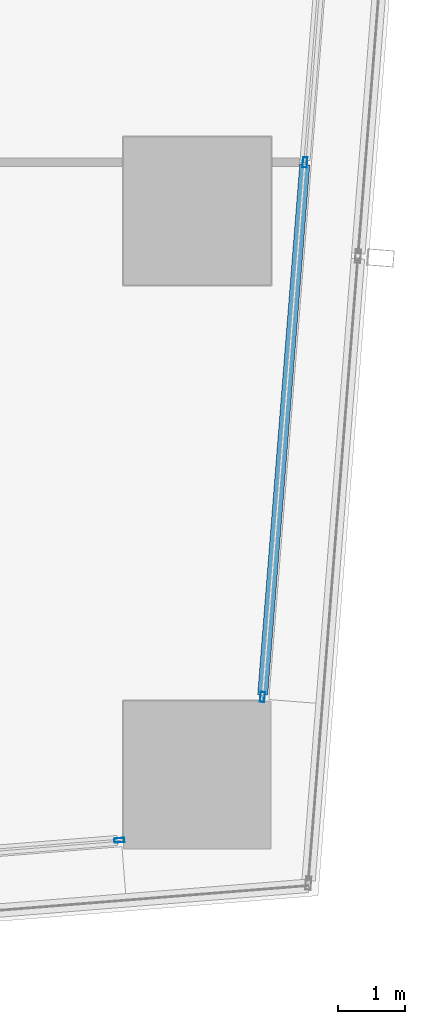
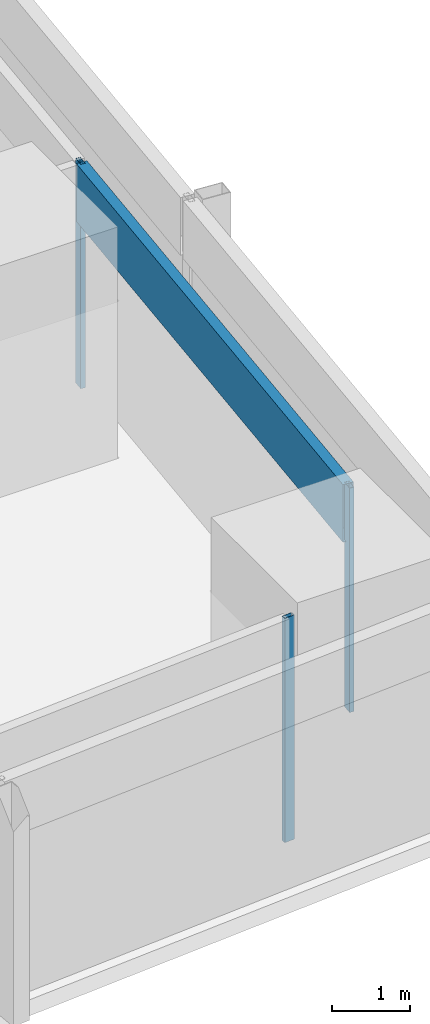
# One storey, part 12 of 44: 4 members, 2 elements without a shape of their own.
"""IFC4 building model written with IfcOpenShell, lengths in metres."""

import ifcopenshell
import ifcopenshell.guid

model = None  # the IFC model being written
_history = None  # IfcOwnerHistory: only IFC2X3 demands one
_inside = {}  # id of a spatial element -> (the spatial element, [elements in it])
_under = {}  # id of a project, library or spatial element -> (it, [spatial elements below it])
_declared = {}  # id of a project -> (the project, [libraries it declares])
_typed = {}  # id of a type object -> (the type object, [elements of that type])
_made_of = {}  # id of a material, layer set ... -> (it, [elements and type objects made of it])


def new_model(schema):
    """Start an empty IFC model of exactly this schema.

    Asked for "IFC4X3", IfcOpenShell would pick the latest addendum, in which some entities
    have other attributes; the version numbers below select the first issue.
    IFC2X3 requires an IfcOwnerHistory on every rooted entity: one is made here for all.
    """
    global model, _history
    if schema == "IFC4X3":
        model = ifcopenshell.file(schema_version=(4, 3, 0, 0))
    else:
        model = ifcopenshell.file(schema=schema)
    _inside.clear()
    _under.clear()
    _declared.clear()
    _typed.clear()
    _made_of.clear()
    _history = None
    if model.schema == "IFC2X3":
        org = make("IfcOrganization", Name="unknown")
        user = make(
            "IfcPersonAndOrganization",
            ThePerson=make("IfcPerson", FamilyName="unknown"),
            TheOrganization=org,
        )
        app = make(
            "IfcApplication",
            ApplicationDeveloper=org,
            Version="unknown",
            ApplicationFullName="unknown",
            ApplicationIdentifier="unknown",
        )
        _history = make(
            "IfcOwnerHistory",
            OwningUser=user,
            OwningApplication=app,
            ChangeAction="ADDED",
            CreationDate=0,
        )
    return model


def make(cls, **values):
    """One entity of the class cls with the attributes given. An attribute that is None is left unset."""
    return model.create_entity(
        cls, **{name: value for name, value in values.items() if value is not None}
    )


def rooted(cls, **values):
    """An entity with a GlobalId (a new one), such as an element, a storey or a relation."""
    return make(cls, GlobalId=ifcopenshell.guid.new(), OwnerHistory=_history, **values)


def si_unit(unit_type, name, prefix=None):
    """IfcSIUnit, for example si_unit("LENGTHUNIT", "METRE", prefix="MILLI")."""
    return make("IfcSIUnit", UnitType=unit_type, Prefix=prefix, Name=name)


def assignment(units):
    """IfcUnitAssignment: the units of a project."""
    return None if units is None else make("IfcUnitAssignment", Units=units)


def point(xyz):
    """IfcCartesianPoint."""
    return None if xyz is None else make("IfcCartesianPoint", Coordinates=xyz)


def direction(xyz):
    """IfcDirection."""
    return None if xyz is None else make("IfcDirection", DirectionRatios=xyz)


def frame(location, z_axis=None, x_axis=None):
    """IfcAxis2Placement3D, a coordinate frame: its origin and axes. An axis left out is left unset."""
    return make(
        "IfcAxis2Placement3D",
        Location=point(location),
        Axis=direction(z_axis),
        RefDirection=direction(x_axis),
    )


def frame_2d(location, x_axis=None):
    """IfcAxis2Placement2D, a coordinate frame in the plane: its origin and x axis."""
    return make(
        "IfcAxis2Placement2D", Location=point(location), RefDirection=direction(x_axis)
    )


def origin():
    """The frame at (0, 0, 0) with its axes left unset."""
    return frame((0.0, 0.0, 0.0))


def origin_2d():
    """The frame at (0, 0) in the plane with its x axis left unset."""
    return frame_2d((0.0, 0.0))


def place(relative_to, where):
    """IfcLocalPlacement: puts the frame where relative to a parent placement (None: the world)."""
    return make(
        "IfcLocalPlacement", PlacementRelTo=relative_to, RelativePlacement=where
    )


def context(
    kind, dimensions, precision=None, world=None, true_north=None, identifier=None
):
    """IfcGeometricRepresentationContext, for example the 3D "Model" context."""
    return make(
        "IfcGeometricRepresentationContext",
        ContextIdentifier=identifier,
        ContextType=kind,
        CoordinateSpaceDimension=dimensions,
        Precision=precision,
        WorldCoordinateSystem=world,
        TrueNorth=true_north,
    )


def subcontext(parent, identifier, kind, view, scale=None):
    """IfcGeometricRepresentationSubContext, for example "Body" below "Model"."""
    return make(
        "IfcGeometricRepresentationSubContext",
        ContextIdentifier=identifier,
        ContextType=kind,
        ParentContext=parent,
        TargetScale=scale,
        TargetView=view,
    )


def project(units=None, contexts=None):
    """IfcProject with its units and contexts."""
    return rooted(
        "IfcProject",
        Name="project",
        RepresentationContexts=contexts,
        UnitsInContext=assignment(units),
    )


def spatial(cls, under=None, at=None, **own):
    """A site, building, storey or space (cls), placed at a placement, below another one or the project."""
    s = rooted(cls, ObjectPlacement=at, **own)
    if under is not None:
        _under.setdefault(under.id(), (under, []))[1].append(s)
    return s


def profile(cls, at=None, kind="AREA", **sizes):
    """A parametric profile (cls). Its sizes go by their IFC names, for example OverallWidth=200.0."""
    return make(cls, ProfileType=kind, Position=at, **sizes)


def hollow_rectangle(**sizes):
    """IfcRectangleHollowProfileDef."""
    return profile("IfcRectangleHollowProfileDef", **sizes)


def extrude(swept, where, along, depth):
    """IfcExtrudedAreaSolid: the profile swept, set in the frame where, extruded along a direction by depth."""
    return make(
        "IfcExtrudedAreaSolid",
        SweptArea=swept,
        Position=where,
        ExtrudedDirection=direction(along),
        Depth=depth,
    )


def shape(context_of_items, identifier, shape_type, items):
    """IfcShapeRepresentation: the items that make up one representation, for example the "Body"."""
    return make(
        "IfcShapeRepresentation",
        ContextOfItems=context_of_items,
        RepresentationIdentifier=identifier,
        RepresentationType=shape_type,
        Items=items,
    )


def material(Name=None, Category=None):
    """IfcMaterial."""
    return make("IfcMaterial", Name=Name, Category=Category)


def material_profile(
    of_material, cross_section, Name=None, Category=None, Priority=None
):
    """IfcMaterialProfile: a cross section and its material."""
    return make(
        "IfcMaterialProfile",
        Name=Name,
        Material=of_material,
        Profile=cross_section,
        Priority=Priority,
        Category=Category,
    )


def profile_set(profiles, Name=None, composite=None):
    """IfcMaterialProfileSet."""
    return make(
        "IfcMaterialProfileSet",
        Name=Name,
        MaterialProfiles=profiles,
        CompositeProfile=composite,
    )


def made_of(thing, what):
    """Note that an element or type object is made of a material, layer set ...; save() writes the relation."""
    if what is not None:
        _made_of.setdefault(what.id(), (what, []))[1].append(thing)
    return thing


def type_object(cls, material=None, **own):
    """A type object (cls), such as IfcWallType, which elements share."""
    return made_of(rooted(cls, **own), material)


def element(
    cls,
    number,
    at=None,
    inside=None,
    cuts=None,
    type_object=None,
    material=None,
    context=None,
    identifier="Body",
    shape_type=None,
    held_by="IfcProductDefinitionShape",
    body=None,
    shapes=None,
    **own,
):
    """One element of the class cls, such as IfcWall. Its Tag is "e" and its number.

    at: its placement. inside: the storey or other place that contains it. cuts: it is an
    opening in that element (IfcRelVoidsElement). A single representation is given by context,
    identifier, shape_type and body (its items); several are given by shapes. held_by: the class
    of the entity that holds the representations. save() writes the other relations.
    """
    e = rooted(cls, Tag="e%d" % number, ObjectPlacement=at, **own)
    if body is not None:
        shapes = [shape(context, identifier, shape_type, body)]
    if shapes is not None:
        e.Representation = make(held_by, Representations=shapes)
    if inside is not None:
        _inside.setdefault(inside.id(), (inside, []))[1].append(e)
    if cuts is not None:
        rooted(
            "IfcRelVoidsElement", RelatingBuildingElement=cuts, RelatedOpeningElement=e
        )
    if type_object is not None:
        _typed.setdefault(type_object.id(), (type_object, []))[1].append(e)
    return made_of(e, material)


def aggregate(whole, parts):
    """IfcRelAggregates: a whole, such as a stair, and the parts it consists of."""
    return rooted("IfcRelAggregates", RelatingObject=whole, RelatedObjects=parts)


def save(model, path):
    """Write the relations noted so far, then the file.

    IfcRelAggregates (storeys below a building ...), IfcRelContainedInSpatialStructure (elements
    in a storey), IfcRelDefinesByType, IfcRelAssociatesMaterial and IfcRelDeclares: one each for
    every whole, place, type object, material and project.
    """
    for whole, parts in _under.values():
        aggregate(whole, parts)
    for where, things in _inside.values():
        rooted(
            "IfcRelContainedInSpatialStructure",
            RelatedElements=things,
            RelatingStructure=where,
        )
    for kind, things in _typed.values():
        rooted("IfcRelDefinesByType", RelatedObjects=things, RelatingType=kind)
    for what, things in _made_of.values():
        rooted("IfcRelAssociatesMaterial", RelatedObjects=things, RelatingMaterial=what)
    for by, libraries in _declared.values():
        rooted("IfcRelDeclares", RelatingContext=by, RelatedDefinitions=libraries)
    model.write(path)


model = new_model("IFC4")

# Units and contexts
model_context = context("Model", 3, precision=1e-05, world=origin(), true_north=direction((0.0, 1.0)))
body_context = subcontext(model_context, "Body", "Model", "MODEL_VIEW")
ifc_project = project(units=[si_unit("LENGTHUNIT", "METRE"), si_unit("AREAUNIT", "SQUARE_METRE"), si_unit("VOLUMEUNIT", "CUBIC_METRE"), si_unit("PLANEANGLEUNIT", "RADIAN"), si_unit("MASSUNIT", "GRAM", prefix="KILO")], contexts=[model_context])

# Site, building, storey
site_placement = place(None, origin())
site = spatial("IfcSite", under=ifc_project, at=site_placement, CompositionType="ELEMENT")
building_placement = place(site_placement, origin())
building = spatial("IfcBuilding", under=site, at=building_placement, Name="Rekha Terrace Tower", CompositionType="ELEMENT")
storey_placement = place(building_placement, frame((0.0, 0.0, 59.14990234375)))
storey = spatial("IfcBuildingStorey", under=building, at=storey_placement, Name="L14", CompositionType="ELEMENT", Elevation=59.14990234375)

# Curtain wall, member
ifc_material_1 = material(Name="Aluminium framing", Category="aluminium")
curtain_wall_type = type_object("IfcCurtainWallType", Name="CW1 double skin inner glazing", PredefinedType="USERDEFINED", material=ifc_material_1)
curtain_wall_1_placement = place(storey_placement, origin())
curtain_wall_1 = element("IfcCurtainWall", 1, at=curtain_wall_1_placement, inside=storey, type_object=curtain_wall_type, Name="CW1 double skin inner glazing", ObjectType="DOUBLE SKIN INNER GLAZING", PredefinedType="USERDEFINED")
ifc_material_2 = material(Name="Aluminium mullion section", Category="aluminium")
ifc_material_profile_1 = material_profile(ifc_material_2, hollow_rectangle(XDim=0.06494140625, YDim=0.14990234375, WallThickness=0.00390625, at=origin_2d()), Name="AL RHS 65x150")
ifc_profile_set_1 = profile_set([ifc_material_profile_1], Name="Aluminium mullion section")
member_type_1 = type_object("IfcMemberType", Name="CW1 mullion RHS 65 x 150", PredefinedType="MULLION", material=ifc_profile_set_1)
member_1_placement = place(storey_placement, frame((66.0400390625, 7.42626953125, 0.0), z_axis=(0.0, 0.0, 1.0), x_axis=(-0.079872204468, 0.996805111821, 0.0)))
member_1 = element("IfcMember", 2, at=member_1_placement, type_object=member_type_1, Name="CW1 mullion 3", PredefinedType="MULLION", context=body_context, shape_type="SweptSolid", body=[
    extrude(hollow_rectangle(XDim=0.06494140625, YDim=0.14990234375, WallThickness=0.00390625, at=origin_2d()), origin(), (0.0, 0.0, 1.0), 3.5),
])
aggregate(curtain_wall_1, [member_1])

# Curtain wall, members
curtain_wall_2_placement = place(storey_placement, origin())
curtain_wall_2 = element("IfcCurtainWall", 3, at=curtain_wall_2_placement, inside=storey, type_object=curtain_wall_type, Name="CW1 double skin inner glazing", ObjectType="DOUBLE SKIN INNER GLAZING", PredefinedType="USERDEFINED")
member_2_placement = place(storey_placement, frame((68.171630859375, 9.559814453125, 0.0), z_axis=(0.0, 0.0, 1.0), x_axis=(-0.996865392576, 0.079116301, 0.0)))
member_2 = element("IfcMember", 4, at=member_2_placement, type_object=member_type_1, Name="CW1 mullion 1", PredefinedType="MULLION", context=body_context, shape_type="SweptSolid", body=[
    extrude(hollow_rectangle(XDim=0.06494140625, YDim=0.14990234375, WallThickness=0.00390625, at=origin_2d()), origin(), (0.0, 0.0, 1.0), 3.5),
])
member_3_placement = place(storey_placement, frame((68.8037109375, 17.5234375, 0.0), z_axis=(0.0, 0.0, 1.0), x_axis=(-0.996865392576, 0.079116301, 0.0)))
member_3 = element("IfcMember", 5, at=member_3_placement, type_object=member_type_1, Name="CW1 mullion 2", PredefinedType="MULLION", context=body_context, shape_type="SweptSolid", body=[
    extrude(hollow_rectangle(XDim=0.06494140625, YDim=0.14990234375, WallThickness=0.00390625, at=origin_2d()), origin(), (0.0, 0.0, 1.0), 3.5),
])
ifc_material_3 = material(Name="Insulated aluminium spandrel box", Category="aluminium")
ifc_material_profile_2 = material_profile(ifc_material_3, hollow_rectangle(XDim=0.14990234375, YDim=0.89990234375, WallThickness=0.0029296875, at=origin_2d()), Name="AL SPANDREL BOX 150x900")
ifc_profile_set_2 = profile_set([ifc_material_profile_2], Name="Insulated aluminium spandrel box")
member_type_2 = type_object("IfcMemberType", Name="CW1 spandrel transom 150 x 900", PredefinedType="USERDEFINED", material=ifc_profile_set_2)
member_4_placement = place(storey_placement, frame((68.174072265625, 9.59228515625, 3.050048828125), z_axis=(0.079125535375, 0.996864659646, 0.0), x_axis=(-0.996864659646, 0.079125535375, 0.0)))
member_4 = element("IfcMember", 6, at=member_4_placement, type_object=member_type_2, Name="CW1 spandrel transom 1", ObjectType="TRANSOM", PredefinedType="USERDEFINED", context=body_context, shape_type="SweptSolid", body=[
    extrude(hollow_rectangle(XDim=0.14990234375, YDim=0.89990234375, WallThickness=0.0029296875, at=origin_2d()), origin(), (0.0, 0.0, 1.0), 7.923583984375),
])
aggregate(curtain_wall_2, [member_2, member_3, member_4])

save(model, "model.ifc")
